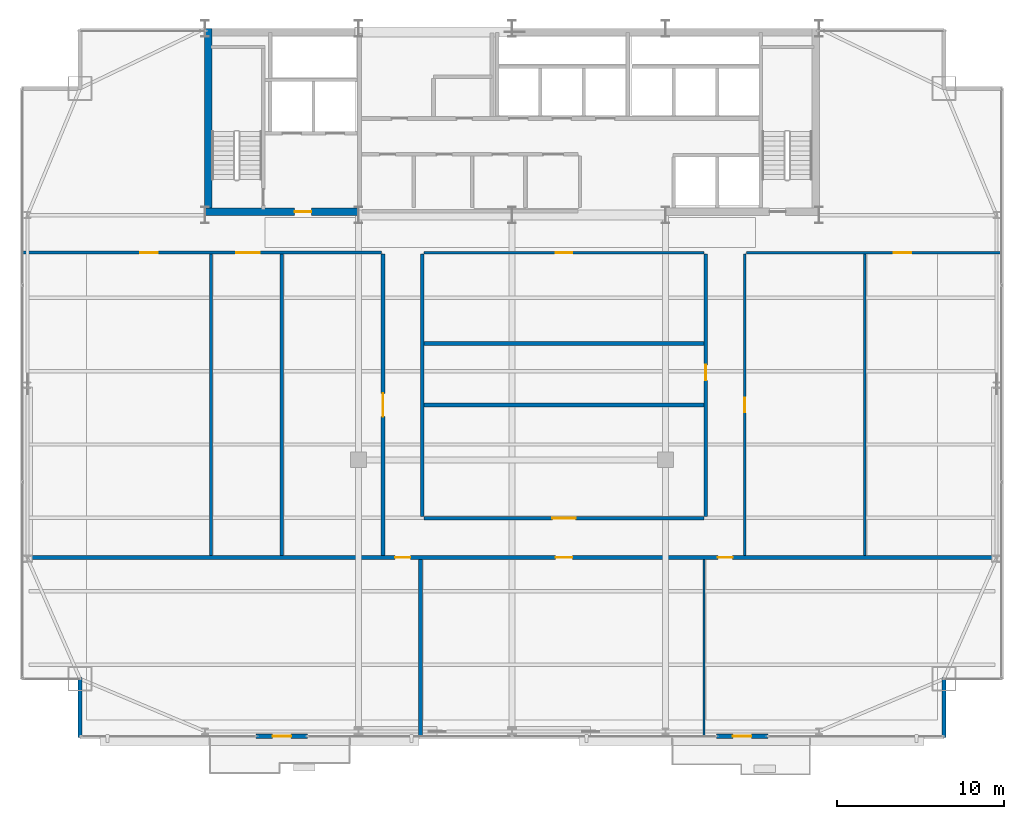
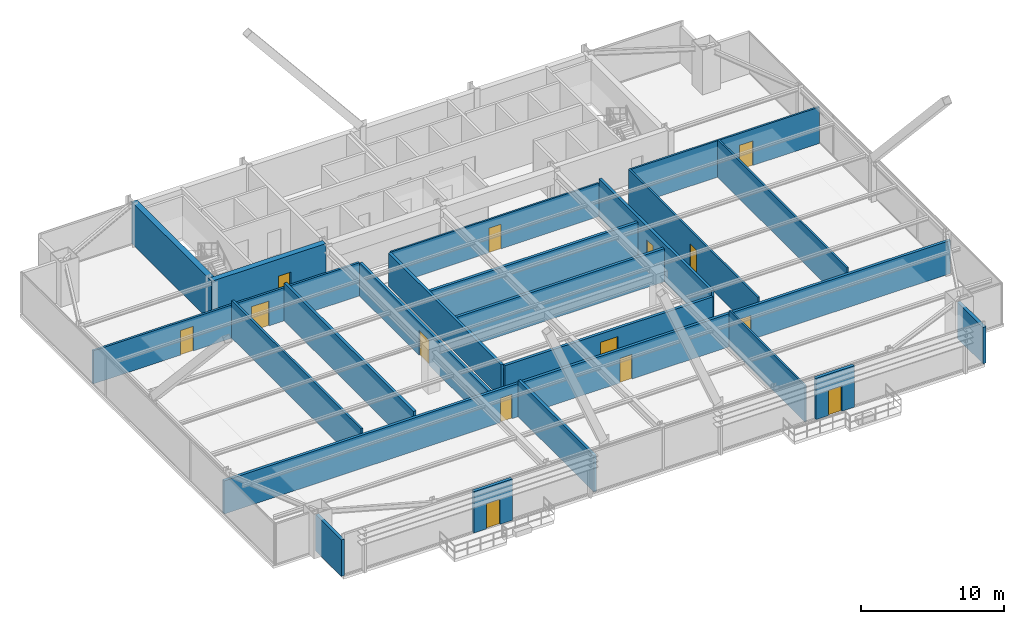
# One storey, part 33 of 37: 22 walls, 14 doors, 14 openings.
"""IFC4 building model written with IfcOpenShell, lengths in metres."""

from ifc_helpers import new_model, si_unit, direction, frame, frame_2d, origin, place, context, subcontext, project, spatial, rectangle, extrude, source, transform, mapped, material, layer, layer_set, type_object, type_shapes, element, fill, save


model = new_model("IFC4")

# Units and contexts
model_context = context("Model", 3, precision=1e-05, world=origin(), true_north=direction((0.0, 1.0)))
body_context = subcontext(model_context, "Body", "Model", "MODEL_VIEW")
ifc_project = project(units=[si_unit("LENGTHUNIT", "METRE"), si_unit("AREAUNIT", "SQUARE_METRE"), si_unit("VOLUMEUNIT", "CUBIC_METRE"), si_unit("PLANEANGLEUNIT", "RADIAN"), si_unit("MASSUNIT", "GRAM", prefix="KILO")], contexts=[model_context])

# Site, building, storey
site_placement = place(None, origin())
site = spatial("IfcSite", under=ifc_project, at=site_placement, CompositionType="ELEMENT")
building_placement = place(site_placement, origin())
building = spatial("IfcBuilding", under=site, at=building_placement, Name="Varnel Quay Broadcast Tower", CompositionType="ELEMENT")
storey_placement = place(building_placement, frame((0.0, 0.0, 125.800048828125)))
storey = spatial("IfcBuildingStorey", under=building, at=storey_placement, Name="L30", CompositionType="ELEMENT", Elevation=125.800048828125)

# Wall
ifc_material_1 = material(Name="Concrete CSA A23.3 C60/75", Category="concrete")
ifc_layer_1 = layer(ifc_material_1, 0.449951171875, Name="Concrete CSA A23.3 C60/75")
ifc_layer_set_1 = layer_set([ifc_layer_1], Name="Concrete CSA A23.3 C60/75")
wall_type_1 = type_object("IfcWallType", Name="Wall_CoreShearInt450", PredefinedType="SHEAR", material=ifc_layer_set_1)
wall_1_placement = place(storey_placement, frame((15.794921875, 35.570068359375, 0.0), z_axis=(0.0, 0.0, 1.0), x_axis=(0.0, 1.0, 0.0)))
element("IfcWall", 1, at=wall_1_placement, inside=storey, type_object=wall_type_1, Name="L30 West Core Shear Wall", PredefinedType="SHEAR", context=body_context, shape_type="SweptSolid", body=[
    extrude(rectangle(XDim=11.22998046875, YDim=0.449951171875, at=frame_2d((5.614990234375, 0.0))), origin(), (0.0, 0.0, 1.0), 3.550048828125),
])

# Wall, opening, door
wall_2_placement = place(storey_placement, frame((15.570068359375, 35.794921875, 0.0), z_axis=(0.0, 0.0, 1.0), x_axis=(1.0, 0.0, 0.0)))
wall_2 = element("IfcWall", 2, at=wall_2_placement, inside=storey, type_object=wall_type_1, Name="L30 South-West Core Shear Wall", PredefinedType="SHEAR", context=body_context, shape_type="SweptSolid", body=[
    extrude(rectangle(XDim=9.22998046875, YDim=0.449951171875, at=frame_2d((4.614990234375, 0.0))), origin(), (0.0, 0.0, 1.0), 3.550048828125),
])
opening_1_placement = place(wall_2_placement, frame((5.39990234375, 0.0, 0.0)))
opening_1 = element("IfcOpeningElement", 3, at=opening_1_placement, cuts=wall_2, Name="Opening D-L30-FFL", PredefinedType="OPENING", context=body_context, shape_type="SweptSolid", body=[
    extrude(rectangle(XDim=1.0, YDim=2.10009765625, at=frame_2d((0.5, 1.050048828125))), frame((0.0, 0.23486328125, 0.0), z_axis=(0.0, -1.0, 0.0), x_axis=(1.0, 0.0, 0.0)), (0.0, 0.0, 1.0), 0.469970703125),
])
ifc_material_2 = material(Name="Insulated Fire-Rated Hollow Steel Door", Category="steel")
door_type_1 = type_object("IfcDoorType", Name="Door_FireLobby1000", OperationType="NOTDEFINED", PredefinedType="DOOR", material=ifc_material_2)
shared_shape_1 = source(origin(), body_context, "Body", "SweptSolid", [
    extrude(rectangle(XDim=1.0, YDim=2.10009765625, at=frame_2d((0.5, 1.050048828125))), frame((0.0, 0.02490234375, 0.0), z_axis=(0.0, -1.0, 0.0), x_axis=(1.0, 0.0, 0.0)), (0.0, 0.0, 1.0), 0.050048828125),
])
type_shapes(door_type_1, [shared_shape_1])
door_1_placement = place(opening_1_placement, origin())
door_1 = element("IfcDoor", 4, at=door_1_placement, inside=storey, type_object=door_type_1, Name="L30 Firefighting Lobby Door", OperationType="SINGLE_SWING_LEFT", OverallHeight=2.10009765625, OverallWidth=1.0, PredefinedType="DOOR", context=body_context, shape_type="MappedRepresentation", body=[
    mapped(shared_shape_1, transform((0.0, 0.0, 0.0), x_axis=(1.0, 0.0, 0.0), y_axis=(0.0, 1.0, 0.0), z_axis=(0.0, 0.0, 1.0), scale=1.0)),
])
fill(opening_1, door_1)

ifc_material_3 = material(Name="Precast Architectural Concrete C40/50", Category="concrete")
ifc_layer_2 = layer(ifc_material_3, 0.25, Name="Precast Architectural Concrete C40/50")
ifc_layer_set_2 = layer_set([ifc_layer_2], Name="Precast Architectural Concrete C40/50")
wall_type_2 = type_object("IfcWallType", Name="Wall_ExtTerrace250", PredefinedType="SOLIDWALL", material=ifc_layer_set_2)
wall_3_placement = place(storey_placement, frame((18.64990234375, 4.35009765625, 0.0), z_axis=(0.0, 0.0, 1.0), x_axis=(1.0, 0.0, 0.0)))
wall_3 = element("IfcWall", 5, at=wall_3_placement, inside=storey, type_object=wall_type_2, Name="L30 Terrace Access Wall 1", PredefinedType="SOLIDWALL", context=body_context, shape_type="SweptSolid", body=[
    extrude(rectangle(XDim=3.10009765625, YDim=0.25, at=frame_2d((1.550048828125, 0.0))), origin(), (0.0, 0.0, 1.0), 3.530029296875),
])
opening_2_placement = place(wall_3_placement, frame((1.0, 0.0, 0.0)))
opening_2 = element("IfcOpeningElement", 6, at=opening_2_placement, cuts=wall_3, Name="Opening TD-301", PredefinedType="OPENING", context=body_context, shape_type="SweptSolid", body=[
    extrude(rectangle(XDim=1.10009765625, YDim=2.14990234375, at=frame_2d((0.550048828125, 1.074951171875))), frame((0.0, 0.135009765625, 0.0), z_axis=(0.0, -1.0, 0.0), x_axis=(1.0, 0.0, 0.0)), (0.0, 0.0, 1.0), 0.27001953125),
])
ifc_material_4 = material(Name="Anodised Bronze Aluminium 6063-T6", Category="aluminium")
door_type_2 = type_object("IfcDoorType", Name="Door_ExtTerrace1100", OperationType="NOTDEFINED", PredefinedType="DOOR", material=ifc_material_4)
shared_shape_2 = source(origin(), body_context, "Body", "SweptSolid", [
    extrude(rectangle(XDim=1.10009765625, YDim=2.14990234375, at=frame_2d((0.550048828125, 1.074951171875))), frame((0.0, 0.02490234375, 0.0), z_axis=(0.0, -1.0, 0.0), x_axis=(1.0, 0.0, 0.0)), (0.0, 0.0, 1.0), 0.050048828125),
])
type_shapes(door_type_2, [shared_shape_2])
door_2_placement = place(opening_2_placement, frame((1.10009765625, 0.0, 0.0), z_axis=(0.0, 0.0, 1.0), x_axis=(-1.0, 0.0, 0.0)))
door_2 = element("IfcDoor", 7, at=door_2_placement, inside=storey, type_object=door_type_2, Name="L30 Terrace Door TD-301", OperationType="SINGLE_SWING_LEFT", OverallHeight=2.14990234375, OverallWidth=1.10009765625, PredefinedType="DOOR", context=body_context, shape_type="MappedRepresentation", body=[
    mapped(shared_shape_2, transform((0.0, 0.0, 0.0), x_axis=(1.0, 0.0, 0.0), y_axis=(0.0, 1.0, 0.0), z_axis=(0.0, 0.0, 1.0), scale=1.0)),
])
fill(opening_2, door_2)

wall_4_placement = place(storey_placement, frame((46.25, 4.35009765625, 0.0), z_axis=(0.0, 0.0, 1.0), x_axis=(1.0, 0.0, 0.0)))
wall_4 = element("IfcWall", 8, at=wall_4_placement, inside=storey, type_object=wall_type_2, Name="L30 Terrace Access Wall 2", PredefinedType="SOLIDWALL", context=body_context, shape_type="SweptSolid", body=[
    extrude(rectangle(XDim=3.10009765625, YDim=0.25, at=frame_2d((1.550048828125, 0.0))), origin(), (0.0, 0.0, 1.0), 3.530029296875),
])
opening_3_placement = place(wall_4_placement, frame((1.0, 0.0, 0.0)))
opening_3 = element("IfcOpeningElement", 9, at=opening_3_placement, cuts=wall_4, Name="Opening TD-302", PredefinedType="OPENING", context=body_context, shape_type="SweptSolid", body=[
    extrude(rectangle(XDim=1.10009765625, YDim=2.14990234375, at=frame_2d((0.550048828125, 1.074951171875))), frame((0.0, 0.135009765625, 0.0), z_axis=(0.0, -1.0, 0.0), x_axis=(1.0, 0.0, 0.0)), (0.0, 0.0, 1.0), 0.27001953125),
])
door_3_placement = place(opening_3_placement, frame((1.10009765625, 0.0, 0.0), z_axis=(0.0, 0.0, 1.0), x_axis=(-1.0, 0.0, 0.0)))
door_3 = element("IfcDoor", 10, at=door_3_placement, inside=storey, type_object=door_type_2, Name="L30 Terrace Door TD-302", OperationType="SINGLE_SWING_RIGHT", OverallHeight=2.14990234375, OverallWidth=1.10009765625, PredefinedType="DOOR", context=body_context, shape_type="MappedRepresentation", body=[
    mapped(shared_shape_2, transform((0.0, 0.0, 0.0), x_axis=(1.0, 0.0, 0.0), y_axis=(0.0, 1.0, 0.0), z_axis=(0.0, 0.0, 1.0), scale=1.0)),
])
fill(opening_3, door_3)

# Walls
for number, where, z_axis, x_axis, name in (
    (11, (8.10009765625, 4.280029296875, 0.0), (0.0, 0.0, 1.0), (0.0, 1.0, 0.0), "L30 Mega-Column Notch Cladding Wall NSW2"),
    (12, (59.89990234375, 4.280029296875, 0.0), (0.0, 0.0, 1.0), (0.0, 1.0, 0.0), "L30 Mega-Column Notch Cladding Wall NSE2"),
):
    element("IfcWall", number, at=place(storey_placement, frame(where, z_axis=z_axis, x_axis=x_axis)), inside=storey, type_object=wall_type_2, Name=name, PredefinedType="SOLIDWALL", context=body_context, shape_type="SweptSolid", body=[
        extrude(rectangle(XDim=3.599853515625, YDim=0.25, at=frame_2d((1.7998046875, 0.0))), origin(), (0.0, 0.0, 1.0), 3.10791015625),
    ])
ifc_material_5 = material(Name="Steel-Stud Fire-Rated Acoustic Gypsum Partition Assembly", Category="steel")
ifc_layer_3 = layer(ifc_material_5, 0.139892578125, Name="Steel-Stud Fire-Rated Acoustic Gypsum Partition Assembly")
ifc_layer_set_3 = layer_set([ifc_layer_3], Name="Steel-Stud Fire-Rated Acoustic Gypsum Partition Assembly")
wall_type_3 = type_object("IfcWallType", Name="Wall_Partition140", PredefinedType="PARTITIONING", material=ifc_layer_set_3)
wall_5_placement = place(storey_placement, frame((45.510009765625, 4.3798828125, 0.0), z_axis=(0.0, 0.0, 1.0), x_axis=(0.0, 1.0, 0.0)))
element("IfcWall", 13, at=wall_5_placement, inside=storey, type_object=wall_type_3, Name="L30 Talent Lounge 2 Partition 9", PredefinedType="PARTITIONING", context=body_context, shape_type="SweptSolid", body=[
    extrude(rectangle(XDim=10.5771484375, YDim=0.139892578125, at=frame_2d((5.28857421875, 0.0))), origin(), (0.0, 0.0, 1.0), 3.10791015625),
])

# Wall, opening, door
wall_6_placement = place(storey_placement, frame((28.719970703125, 33.35009765625, 0.0), z_axis=(0.0, 0.0, 1.0), x_axis=(1.0, 0.0, 0.0)))
wall_6 = element("IfcWall", 14, at=wall_6_placement, inside=storey, type_object=wall_type_3, Name="L30 Talent Lounge 9 Partition 19", PredefinedType="PARTITIONING", context=body_context, shape_type="SweptSolid", body=[
    extrude(rectangle(XDim=16.7900390625, YDim=0.139892578125, at=frame_2d((8.39501953125, 0.0))), origin(), (0.0, 0.0, 1.0), 2.829833984375),
])
opening_4_placement = place(wall_6_placement, frame((7.89501953125, 0.0, 0.0)))
opening_4 = element("IfcOpeningElement", 15, at=opening_4_placement, cuts=wall_6, Name="Opening D-L30-13", PredefinedType="OPENING", context=body_context, shape_type="SweptSolid", body=[
    extrude(rectangle(XDim=1.0, YDim=2.10009765625, at=frame_2d((0.5, 1.050048828125))), frame((0.0, 0.080078125, 0.0), z_axis=(0.0, -1.0, 0.0), x_axis=(1.0, 0.0, 0.0)), (0.0, 0.0, 1.0), 0.159912109375),
])
ifc_material_6 = material(Name="Solid-Core Fire-Rated Acoustic Oak Veneer Door", Category="wood")
door_type_3 = type_object("IfcDoorType", Name="Door_Exec1000", OperationType="NOTDEFINED", PredefinedType="DOOR", material=ifc_material_6)
shared_shape_3 = source(origin(), body_context, "Body", "SweptSolid", [
    extrude(rectangle(XDim=1.0, YDim=2.10009765625, at=frame_2d((0.5, 1.050048828125))), frame((0.0, 0.02490234375, 0.0), z_axis=(0.0, -1.0, 0.0), x_axis=(1.0, 0.0, 0.0)), (0.0, 0.0, 1.0), 0.050048828125),
])
type_shapes(door_type_3, [shared_shape_3])
door_4_placement = place(opening_4_placement, frame((1.0, 0.0, 0.0), z_axis=(0.0, 0.0, 1.0), x_axis=(-1.0, 0.0, 0.0)))
door_4 = element("IfcDoor", 16, at=door_4_placement, inside=storey, type_object=door_type_3, Name="L30 Talent Lounge 9 Door D-L30-13", OperationType="SINGLE_SWING_RIGHT", OverallHeight=2.10009765625, OverallWidth=1.0, PredefinedType="DOOR", context=body_context, shape_type="MappedRepresentation", body=[
    mapped(shared_shape_3, transform((0.0, 0.0, 0.0), x_axis=(1.0, 0.0, 0.0), y_axis=(0.0, 1.0, 0.0), z_axis=(0.0, 0.0, 1.0), scale=1.0)),
])
fill(opening_4, door_4)

# Wall
ifc_layer_4 = layer(ifc_material_5, 0.14990234375, Name="Steel-Stud Fire-Rated Acoustic Gypsum Partition Assembly")
ifc_layer_set_4 = layer_set([ifc_layer_4], Name="Steel-Stud Fire-Rated Acoustic Gypsum Partition Assembly")
wall_type_4 = type_object("IfcWallType", Name="Wall_Partition150", PredefinedType="PARTITIONING", material=ifc_layer_set_4)
wall_7_placement = place(storey_placement, frame((55.14990234375, 15.18310546875, 0.0), z_axis=(0.0, 0.0, 1.0), x_axis=(0.0, 1.0, 0.0)))
element("IfcWall", 17, at=wall_7_placement, inside=storey, type_object=wall_type_4, Name="L30 Pantry Niche 10 Partition 20", PredefinedType="PARTITIONING", context=body_context, shape_type="SweptSolid", body=[
    extrude(rectangle(XDim=18.091796875, YDim=0.14990234375, at=frame_2d((9.0458984375, 0.0))), origin(), (0.0, 0.0, 1.0), 3.221923828125),
])

# Wall, opening, door
wall_8_placement = place(storey_placement, frame((48.06005859375, 33.35009765625, 0.0), z_axis=(0.0, 0.0, 1.0), x_axis=(1.0, 0.0, 0.0)))
wall_8 = element("IfcWall", 18, at=wall_8_placement, inside=storey, type_object=wall_type_4, Name="L30 Pantry Niche 10 Partition 21", PredefinedType="PARTITIONING", context=body_context, shape_type="SweptSolid", body=[
    extrude(rectangle(XDim=15.260009765625, YDim=0.14990234375, at=frame_2d((7.6298828125, 0.0))), origin(), (0.0, 0.0, 1.0), 3.10791015625),
])
opening_5_placement = place(wall_8_placement, frame((8.81494140625, 0.0, 0.0)))
opening_5 = element("IfcOpeningElement", 19, at=opening_5_placement, cuts=wall_8, Name="Opening D-L30-15", PredefinedType="OPENING", context=body_context, shape_type="SweptSolid", body=[
    extrude(rectangle(XDim=1.050048828125, YDim=2.10009765625, at=frame_2d((0.52490234375, 1.050048828125))), frame((0.0, 0.0849609375, 0.0), z_axis=(0.0, -1.0, 0.0), x_axis=(1.0, 0.0, 0.0)), (0.0, 0.0, 1.0), 0.169921875),
])
door_type_4 = type_object("IfcDoorType", Name="Door_Meeting1050", OperationType="NOTDEFINED", PredefinedType="DOOR", material=ifc_material_6)
shared_shape_4 = source(origin(), body_context, "Body", "SweptSolid", [
    extrude(rectangle(XDim=1.050048828125, YDim=2.10009765625, at=frame_2d((0.52490234375, 1.050048828125))), frame((0.0, 0.02490234375, 0.0), z_axis=(0.0, -1.0, 0.0), x_axis=(1.0, 0.0, 0.0)), (0.0, 0.0, 1.0), 0.050048828125),
])
type_shapes(door_type_4, [shared_shape_4])
door_5_placement = place(opening_5_placement, frame((1.050048828125, 0.0, 0.0), z_axis=(0.0, 0.0, 1.0), x_axis=(-1.0, 0.0, 0.0)))
door_5 = element("IfcDoor", 20, at=door_5_placement, inside=storey, type_object=door_type_4, Name="L30 Broadcast Seminar Room 11 Door D-L30-15", OperationType="SINGLE_SWING_RIGHT", OverallHeight=2.10009765625, OverallWidth=1.050048828125, PredefinedType="DOOR", context=body_context, shape_type="MappedRepresentation", body=[
    mapped(shared_shape_4, transform((0.0, 0.0, 0.0), x_axis=(1.0, 0.0, 0.0), y_axis=(0.0, 1.0, 0.0), z_axis=(0.0, 0.0, 1.0), scale=1.0)),
])
fill(opening_5, door_5)

wall_9_placement = place(storey_placement, frame((47.9599609375, 15.18310546875, 0.0), z_axis=(0.0, 0.0, 1.0), x_axis=(0.0, 1.0, 0.0)))
wall_9 = element("IfcWall", 21, at=wall_9_placement, inside=storey, type_object=wall_type_4, Name="L30 Pantry Niche 10 Partition 22", PredefinedType="PARTITIONING", context=body_context, shape_type="SweptSolid", body=[
    extrude(rectangle(XDim=18.091796875, YDim=0.14990234375, at=frame_2d((9.0458984375, 0.0))), origin(), (0.0, 0.0, 1.0), 3.221923828125),
])
opening_6_placement = place(wall_9_placement, frame((8.593994140625, 0.0, 0.0)))
opening_6 = element("IfcOpeningElement", 22, at=opening_6_placement, cuts=wall_9, Name="Opening D-L30-14", PredefinedType="OPENING", context=body_context, shape_type="SweptSolid", body=[
    extrude(rectangle(XDim=0.8798828125, YDim=2.06005859375, at=frame_2d((0.43994140625, 1.030029296875))), frame((0.0, 0.0849609375, 0.0), z_axis=(0.0, -1.0, 0.0), x_axis=(1.0, 0.0, 0.0)), (0.0, 0.0, 1.0), 0.169921875),
])
door_type_5 = type_object("IfcDoorType", Name="Door_Booth880", OperationType="NOTDEFINED", PredefinedType="DOOR", material=ifc_material_6)
shared_shape_5 = source(origin(), body_context, "Body", "SweptSolid", [
    extrude(rectangle(XDim=0.8798828125, YDim=2.06005859375, at=frame_2d((0.43994140625, 1.030029296875))), frame((0.0, 0.02490234375, 0.0), z_axis=(0.0, -1.0, 0.0), x_axis=(1.0, 0.0, 0.0)), (0.0, 0.0, 1.0), 0.050048828125),
])
type_shapes(door_type_5, [shared_shape_5])
door_6_placement = place(opening_6_placement, frame((0.8798828125, 0.0, 0.0), z_axis=(0.0, 0.0, 1.0), x_axis=(-1.0, 0.0, 0.0)))
door_6 = element("IfcDoor", 23, at=door_6_placement, inside=storey, type_object=door_type_5, Name="L30 Pantry Niche 10 Door D-L30-14", OperationType="SINGLE_SWING_LEFT", OverallHeight=2.06005859375, OverallWidth=0.8798828125, PredefinedType="DOOR", context=body_context, shape_type="MappedRepresentation", body=[
    mapped(shared_shape_5, transform((0.0, 0.0, 0.0), x_axis=(1.0, 0.0, 0.0), y_axis=(0.0, 1.0, 0.0), z_axis=(0.0, 0.0, 1.0), scale=1.0)),
])
fill(opening_6, door_6)

# Wall
ifc_layer_5 = layer(ifc_material_5, 0.175048828125, Name="Steel-Stud Fire-Rated Acoustic Gypsum Partition Assembly")
ifc_layer_set_5 = layer_set([ifc_layer_5], Name="Steel-Stud Fire-Rated Acoustic Gypsum Partition Assembly")
wall_type_5 = type_object("IfcWallType", Name="Wall_Partition175", PredefinedType="PARTITIONING", material=ifc_layer_set_5)
wall_10_placement = place(storey_placement, frame((15.93994140625, 15.18310546875, 0.0), z_axis=(0.0, 0.0, 1.0), x_axis=(0.0, 1.0, 0.0)))
element("IfcWall", 24, at=wall_10_placement, inside=storey, type_object=wall_type_5, Name="L30 Broadcast Seminar Room 4 Partition 10", PredefinedType="PARTITIONING", context=body_context, shape_type="SweptSolid", body=[
    extrude(rectangle(XDim=18.079833984375, YDim=0.175048828125, at=frame_2d((9.0400390625, 0.0))), origin(), (0.0, 0.0, 1.0), 3.221923828125),
])

# Wall, openings, doors
wall_11_placement = place(storey_placement, frame((4.679931640625, 33.35009765625, 0.0), z_axis=(0.0, 0.0, 1.0), x_axis=(1.0, 0.0, 0.0)))
wall_11 = element("IfcWall", 25, at=wall_11_placement, inside=storey, type_object=wall_type_5, Name="L30 Broadcast Seminar Room 4 Partition 11", PredefinedType="PARTITIONING", context=body_context, shape_type="SweptSolid", body=[
    extrude(rectangle(XDim=21.489990234375, YDim=0.175048828125, at=frame_2d((10.7451171875, 0.0))), origin(), (0.0, 0.0, 1.0), 2.829833984375),
])
opening_7_placement = place(wall_11_placement, frame((7.0400390625, 0.0, 0.0)))
opening_7 = element("IfcOpeningElement", 26, at=opening_7_placement, cuts=wall_11, Name="Opening D-L30-08", PredefinedType="OPENING", context=body_context, shape_type="SweptSolid", body=[
    extrude(rectangle(XDim=1.050048828125, YDim=2.10009765625, at=frame_2d((0.52490234375, 1.050048828125))), frame((0.0, 0.09765625, 0.0), z_axis=(0.0, -1.0, 0.0), x_axis=(1.0, 0.0, 0.0)), (0.0, 0.0, 1.0), 0.195068359375),
])
opening_8_placement = place(wall_11_placement, frame((12.7900390625, 0.0, 0.0)))
opening_8 = element("IfcOpeningElement", 27, at=opening_8_placement, cuts=wall_11, Name="Opening D-L30-09", PredefinedType="OPENING", context=body_context, shape_type="SweptSolid", body=[
    extrude(rectangle(XDim=1.39990234375, YDim=2.1201171875, at=frame_2d((0.699951171875, 1.06005859375))), frame((0.0, 0.09765625, 0.0), z_axis=(0.0, -1.0, 0.0), x_axis=(1.0, 0.0, 0.0)), (0.0, 0.0, 1.0), 0.195068359375),
])
door_7_placement = place(opening_7_placement, frame((1.050048828125, 0.0, 0.0), z_axis=(0.0, 0.0, 1.0), x_axis=(-1.0, 0.0, 0.0)))
door_7 = element("IfcDoor", 28, at=door_7_placement, inside=storey, type_object=door_type_4, Name="L30 Broadcast Seminar Room 4 Door D-L30-08", OperationType="SINGLE_SWING_RIGHT", OverallHeight=2.10009765625, OverallWidth=1.050048828125, PredefinedType="DOOR", context=body_context, shape_type="MappedRepresentation", body=[
    mapped(shared_shape_4, transform((0.0, 0.0, 0.0), x_axis=(1.0, 0.0, 0.0), y_axis=(0.0, 1.0, 0.0), z_axis=(0.0, 0.0, 1.0), scale=1.0)),
])
fill(opening_7, door_7)
door_type_6 = type_object("IfcDoorType", Name="Door_Gallery1400", OperationType="DOUBLE_DOOR_SINGLE_SWING", PredefinedType="DOOR", material=ifc_material_6)
shared_shape_6 = source(origin(), body_context, "Body", "SweptSolid", [
    extrude(rectangle(XDim=1.39990234375, YDim=2.1201171875, at=frame_2d((0.699951171875, 1.06005859375))), frame((0.0, 0.02490234375, 0.0), z_axis=(0.0, -1.0, 0.0), x_axis=(1.0, 0.0, 0.0)), (0.0, 0.0, 1.0), 0.050048828125),
])
type_shapes(door_type_6, [shared_shape_6])
door_8_placement = place(opening_8_placement, frame((1.39990234375, 0.0, 0.0), z_axis=(0.0, 0.0, 1.0), x_axis=(-1.0, 0.0, 0.0)))
door_8 = element("IfcDoor", 29, at=door_8_placement, inside=storey, type_object=door_type_6, Name="L30 Podcast Recording Studio 5 Door D-L30-09", OperationType="DOUBLE_DOOR_SINGLE_SWING", OverallHeight=2.1201171875, OverallWidth=1.39990234375, PredefinedType="DOOR", context=body_context, shape_type="MappedRepresentation", body=[
    mapped(shared_shape_6, transform((0.0, 0.0, 0.0), x_axis=(1.0, 0.0, 0.0), y_axis=(0.0, 1.0, 0.0), z_axis=(0.0, 0.0, 1.0), scale=1.0)),
])
fill(opening_8, door_8)

# Wall
ifc_layer_6 = layer(ifc_material_5, 0.22509765625, Name="Steel-Stud Fire-Rated Acoustic Gypsum Partition Assembly")
ifc_layer_set_6 = layer_set([ifc_layer_6], Name="Steel-Stud Fire-Rated Acoustic Gypsum Partition Assembly")
wall_type_6 = type_object("IfcWallType", Name="Wall_Partition225", PredefinedType="PARTITIONING", material=ifc_layer_set_6)
wall_12_placement = place(storey_placement, frame((28.52001953125, 4.3798828125, 0.0), z_axis=(0.0, 0.0, 1.0), x_axis=(0.0, 1.0, 0.0)))
element("IfcWall", 30, at=wall_12_placement, inside=storey, type_object=wall_type_6, Name="L30 Audio Control Room 1 Partition 7", PredefinedType="PARTITIONING", context=body_context, shape_type="SweptSolid", body=[
    extrude(rectangle(XDim=10.5771484375, YDim=0.22509765625, at=frame_2d((5.28857421875, 0.0))), origin(), (0.0, 0.0, 1.0), 3.10791015625),
])

# Wall, openings, doors
wall_13_placement = place(storey_placement, frame((4.679931640625, 15.070068359375, 0.0), z_axis=(0.0, 0.0, 1.0), x_axis=(1.0, 0.0, 0.0)))
wall_13 = element("IfcWall", 31, at=wall_13_placement, inside=storey, type_object=wall_type_6, Name="L30 Audio Control Room 1 Partition 8", PredefinedType="PARTITIONING", context=body_context, shape_type="SweptSolid", body=[
    extrude(rectangle(XDim=58.64013671875, YDim=0.22509765625, at=frame_2d((29.320068359375, 0.0))), origin(), (0.0, 0.0, 1.0), 2.829833984375),
])
opening_9_placement = place(wall_13_placement, frame((22.304931640625, 0.0, 0.0)))
opening_9 = element("IfcOpeningElement", 32, at=opening_9_placement, cuts=wall_13, Name="Opening D-L30-05", PredefinedType="OPENING", context=body_context, shape_type="SweptSolid", body=[
    extrude(rectangle(XDim=0.919921875, YDim=2.080078125, at=frame_2d((0.4599609375, 1.0400390625))), frame((0.0, 0.12255859375, 0.0), z_axis=(0.0, -1.0, 0.0), x_axis=(1.0, 0.0, 0.0)), (0.0, 0.0, 1.0), 0.2451171875),
])
opening_10_placement = place(wall_13_placement, frame((31.93505859375, 0.0, 0.0)))
opening_10 = element("IfcOpeningElement", 33, at=opening_10_placement, cuts=wall_13, Name="Opening D-L30-06", PredefinedType="OPENING", context=body_context, shape_type="SweptSolid", body=[
    extrude(rectangle(XDim=1.0, YDim=2.10009765625, at=frame_2d((0.5, 1.050048828125))), frame((0.0, 0.12255859375, 0.0), z_axis=(0.0, -1.0, 0.0), x_axis=(1.0, 0.0, 0.0)), (0.0, 0.0, 1.0), 0.2451171875),
])
opening_11_placement = place(wall_13_placement, frame((41.6650390625, 0.0, 0.0)))
opening_11 = element("IfcOpeningElement", 34, at=opening_11_placement, cuts=wall_13, Name="Opening D-L30-07", PredefinedType="OPENING", context=body_context, shape_type="SweptSolid", body=[
    extrude(rectangle(XDim=0.8798828125, YDim=2.06005859375, at=frame_2d((0.43994140625, 1.030029296875))), frame((0.0, 0.12255859375, 0.0), z_axis=(0.0, -1.0, 0.0), x_axis=(1.0, 0.0, 0.0)), (0.0, 0.0, 1.0), 0.2451171875),
])
door_9_placement = place(opening_11_placement, frame((0.8798828125, 0.0, 0.0), z_axis=(0.0, 0.0, 1.0), x_axis=(-1.0, 0.0, 0.0)))
door_9 = element("IfcDoor", 35, at=door_9_placement, inside=storey, type_object=door_type_5, Name="L30 Pantry Niche 3 Door D-L30-07", OperationType="SINGLE_SWING_LEFT", OverallHeight=2.06005859375, OverallWidth=0.8798828125, PredefinedType="DOOR", context=body_context, shape_type="MappedRepresentation", body=[
    mapped(shared_shape_5, transform((0.0, 0.0, 0.0), x_axis=(1.0, 0.0, 0.0), y_axis=(0.0, 1.0, 0.0), z_axis=(0.0, 0.0, 1.0), scale=1.0)),
])
fill(opening_11, door_9)
door_type_7 = type_object("IfcDoorType", Name="Door_Office920", OperationType="NOTDEFINED", PredefinedType="DOOR", material=ifc_material_6)
shared_shape_7 = source(origin(), body_context, "Body", "SweptSolid", [
    extrude(rectangle(XDim=0.919921875, YDim=2.080078125, at=frame_2d((0.4599609375, 1.0400390625))), frame((0.0, 0.02490234375, 0.0), z_axis=(0.0, -1.0, 0.0), x_axis=(1.0, 0.0, 0.0)), (0.0, 0.0, 1.0), 0.050048828125),
])
type_shapes(door_type_7, [shared_shape_7])
door_10_placement = place(opening_9_placement, frame((0.919921875, 0.0, 0.0), z_axis=(0.0, 0.0, 1.0), x_axis=(-1.0, 0.0, 0.0)))
door_10 = element("IfcDoor", 36, at=door_10_placement, inside=storey, type_object=door_type_7, Name="L30 Audio Control Room 1 Door D-L30-05", OperationType="SINGLE_SWING_LEFT", OverallHeight=2.080078125, OverallWidth=0.919921875, PredefinedType="DOOR", context=body_context, shape_type="MappedRepresentation", body=[
    mapped(shared_shape_7, transform((0.0, 0.0, 0.0), x_axis=(1.0, 0.0, 0.0), y_axis=(0.0, 1.0, 0.0), z_axis=(0.0, 0.0, 1.0), scale=1.0)),
])
fill(opening_9, door_10)
door_11_placement = place(opening_10_placement, frame((1.0, 0.0, 0.0), z_axis=(0.0, 0.0, 1.0), x_axis=(-1.0, 0.0, 0.0)))
door_11 = element("IfcDoor", 37, at=door_11_placement, inside=storey, type_object=door_type_3, Name="L30 Talent Lounge 2 Door D-L30-06", OperationType="SINGLE_SWING_RIGHT", OverallHeight=2.10009765625, OverallWidth=1.0, PredefinedType="DOOR", context=body_context, shape_type="MappedRepresentation", body=[
    mapped(shared_shape_3, transform((0.0, 0.0, 0.0), x_axis=(1.0, 0.0, 0.0), y_axis=(0.0, 1.0, 0.0), z_axis=(0.0, 0.0, 1.0), scale=1.0)),
])
fill(opening_10, door_11)

# Wall
wall_14_placement = place(storey_placement, frame((20.199951171875, 15.18310546875, 0.0), z_axis=(0.0, 0.0, 1.0), x_axis=(0.0, 1.0, 0.0)))
element("IfcWall", 38, at=wall_14_placement, inside=storey, type_object=wall_type_6, Name="L30 Podcast Recording Studio 5 Partition 12", PredefinedType="PARTITIONING", context=body_context, shape_type="SweptSolid", body=[
    extrude(rectangle(XDim=18.079833984375, YDim=0.22509765625, at=frame_2d((9.0400390625, 0.0))), origin(), (0.0, 0.0, 1.0), 3.221923828125),
])

# Wall, opening, door
wall_15_placement = place(storey_placement, frame((26.27001953125, 15.18310546875, 0.0), z_axis=(0.0, 0.0, 1.0), x_axis=(0.0, 1.0, 0.0)))
wall_15 = element("IfcWall", 39, at=wall_15_placement, inside=storey, type_object=wall_type_6, Name="L30 Foley Sound Studio 6 Partition 13", PredefinedType="PARTITIONING", context=body_context, shape_type="SweptSolid", body=[
    extrude(rectangle(XDim=18.079833984375, YDim=0.22509765625, at=frame_2d((9.0400390625, 0.0))), origin(), (0.0, 0.0, 1.0), 2.829833984375),
])
opening_12_placement = place(wall_15_placement, frame((8.333984375, 0.0, 0.0)))
opening_12 = element("IfcOpeningElement", 40, at=opening_12_placement, cuts=wall_15, Name="Opening D-L30-10", PredefinedType="OPENING", context=body_context, shape_type="SweptSolid", body=[
    extrude(rectangle(XDim=1.39990234375, YDim=2.1201171875, at=frame_2d((0.699951171875, 1.06005859375))), frame((0.0, 0.12255859375, 0.0), z_axis=(0.0, -1.0, 0.0), x_axis=(1.0, 0.0, 0.0)), (0.0, 0.0, 1.0), 0.2451171875),
])
door_12_placement = place(opening_12_placement, origin())
door_12 = element("IfcDoor", 41, at=door_12_placement, inside=storey, type_object=door_type_6, Name="L30 Foley Sound Studio 6 Door D-L30-10", OperationType="DOUBLE_DOOR_SINGLE_SWING", OverallHeight=2.1201171875, OverallWidth=1.39990234375, PredefinedType="DOOR", context=body_context, shape_type="MappedRepresentation", body=[
    mapped(shared_shape_6, transform((0.0, 0.0, 0.0), x_axis=(1.0, 0.0, 0.0), y_axis=(0.0, 1.0, 0.0), z_axis=(0.0, 0.0, 1.0), scale=1.0)),
])
fill(opening_12, door_12)

wall_16_placement = place(storey_placement, frame((28.719970703125, 17.419921875, 0.0), z_axis=(0.0, 0.0, 1.0), x_axis=(1.0, 0.0, 0.0)))
wall_16 = element("IfcWall", 42, at=wall_16_placement, inside=storey, type_object=wall_type_6, Name="L30 Voice Booth 7 Partition 14", PredefinedType="PARTITIONING", context=body_context, shape_type="SweptSolid", body=[
    extrude(rectangle(XDim=16.7900390625, YDim=0.22509765625, at=frame_2d((8.39501953125, 0.0))), origin(), (0.0, 0.0, 1.0), 2.829833984375),
])
opening_13_placement = place(wall_16_placement, frame((7.695068359375, 0.0, 0.0)))
opening_13 = element("IfcOpeningElement", 43, at=opening_13_placement, cuts=wall_16, Name="Opening D-L30-11", PredefinedType="OPENING", context=body_context, shape_type="SweptSolid", body=[
    extrude(rectangle(XDim=1.39990234375, YDim=2.1201171875, at=frame_2d((0.699951171875, 1.06005859375))), frame((0.0, 0.12255859375, 0.0), z_axis=(0.0, -1.0, 0.0), x_axis=(1.0, 0.0, 0.0)), (0.0, 0.0, 1.0), 0.2451171875),
])
door_13_placement = place(opening_13_placement, origin())
door_13 = element("IfcDoor", 44, at=door_13_placement, inside=storey, type_object=door_type_6, Name="L30 Voice Booth 7 Door D-L30-11", OperationType="DOUBLE_DOOR_SINGLE_SWING", OverallHeight=2.1201171875, OverallWidth=1.39990234375, PredefinedType="DOOR", context=body_context, shape_type="MappedRepresentation", body=[
    mapped(shared_shape_6, transform((0.0, 0.0, 0.0), x_axis=(1.0, 0.0, 0.0), y_axis=(0.0, 1.0, 0.0), z_axis=(0.0, 0.0, 1.0), scale=1.0)),
])
fill(opening_13, door_13)

wall_17_placement = place(storey_placement, frame((45.610107421875, 17.532958984375, 0.0), z_axis=(0.0, 0.0, 1.0), x_axis=(0.0, 1.0, 0.0)))
wall_17 = element("IfcWall", 45, at=wall_17_placement, inside=storey, type_object=wall_type_6, Name="L30 Voice Booth 7 Partition 15", PredefinedType="PARTITIONING", context=body_context, shape_type="SweptSolid", body=[
    extrude(rectangle(XDim=15.7470703125, YDim=0.22509765625, at=frame_2d((7.87353515625, 0.0))), origin(), (0.0, 0.0, 1.0), 3.221923828125),
])
opening_14_placement = place(wall_17_placement, frame((8.162109375, 0.0, 0.0)))
opening_14 = element("IfcOpeningElement", 46, at=opening_14_placement, cuts=wall_17, Name="Opening D-L30-12", PredefinedType="OPENING", context=body_context, shape_type="SweptSolid", body=[
    extrude(rectangle(XDim=0.919921875, YDim=2.080078125, at=frame_2d((0.4599609375, 1.0400390625))), frame((0.0, 0.12255859375, 0.0), z_axis=(0.0, -1.0, 0.0), x_axis=(1.0, 0.0, 0.0)), (0.0, 0.0, 1.0), 0.2451171875),
])
door_14_placement = place(opening_14_placement, origin())
door_14 = element("IfcDoor", 47, at=door_14_placement, inside=storey, type_object=door_type_7, Name="L30 Audio Control Room 8 Door D-L30-12", OperationType="SINGLE_SWING_LEFT", OverallHeight=2.080078125, OverallWidth=0.919921875, PredefinedType="DOOR", context=body_context, shape_type="MappedRepresentation", body=[
    mapped(shared_shape_7, transform((0.0, 0.0, 0.0), x_axis=(1.0, 0.0, 0.0), y_axis=(0.0, 1.0, 0.0), z_axis=(0.0, 0.0, 1.0), scale=1.0)),
])
fill(opening_14, door_14)

# Walls
wall_18_placement = place(storey_placement, frame((28.719970703125, 24.2099609375, 0.0), z_axis=(0.0, 0.0, 1.0), x_axis=(1.0, 0.0, 0.0)))
element("IfcWall", 48, at=wall_18_placement, inside=storey, type_object=wall_type_6, Name="L30 Voice Booth 7 Partition 16", PredefinedType="PARTITIONING", context=body_context, shape_type="SweptSolid", body=[
    extrude(rectangle(XDim=16.7900390625, YDim=0.22509765625, at=frame_2d((8.39501953125, 0.0))), origin(), (0.0, 0.0, 1.0), 2.829833984375),
])
wall_19_placement = place(storey_placement, frame((28.6201171875, 17.532958984375, 0.0), z_axis=(0.0, 0.0, 1.0), x_axis=(0.0, 1.0, 0.0)))
element("IfcWall", 49, at=wall_19_placement, inside=storey, type_object=wall_type_6, Name="L30 Voice Booth 7 Partition 17", PredefinedType="PARTITIONING", context=body_context, shape_type="SweptSolid", body=[
    extrude(rectangle(XDim=15.7470703125, YDim=0.22509765625, at=frame_2d((7.87353515625, 0.0))), origin(), (0.0, 0.0, 1.0), 2.829833984375),
])
wall_20_placement = place(storey_placement, frame((28.719970703125, 27.89990234375, 0.0), z_axis=(0.0, 0.0, 1.0), x_axis=(1.0, 0.0, 0.0)))
element("IfcWall", 50, at=wall_20_placement, inside=storey, type_object=wall_type_6, Name="L30 Audio Control Room 8 Partition 18", PredefinedType="PARTITIONING", context=body_context, shape_type="SweptSolid", body=[
    extrude(rectangle(XDim=16.7900390625, YDim=0.22509765625, at=frame_2d((8.39501953125, 0.0))), origin(), (0.0, 0.0, 1.0), 2.829833984375),
])

save(model, "model.ifc")
